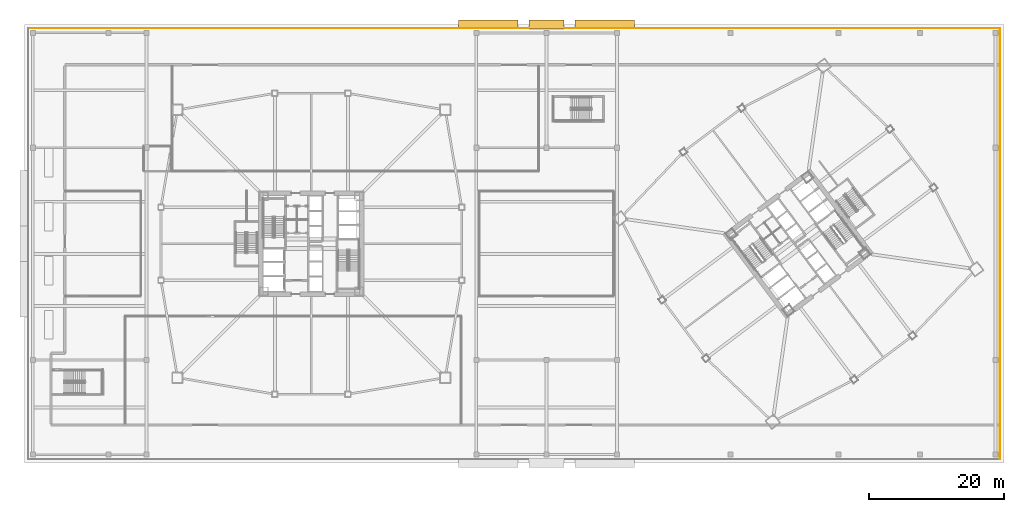
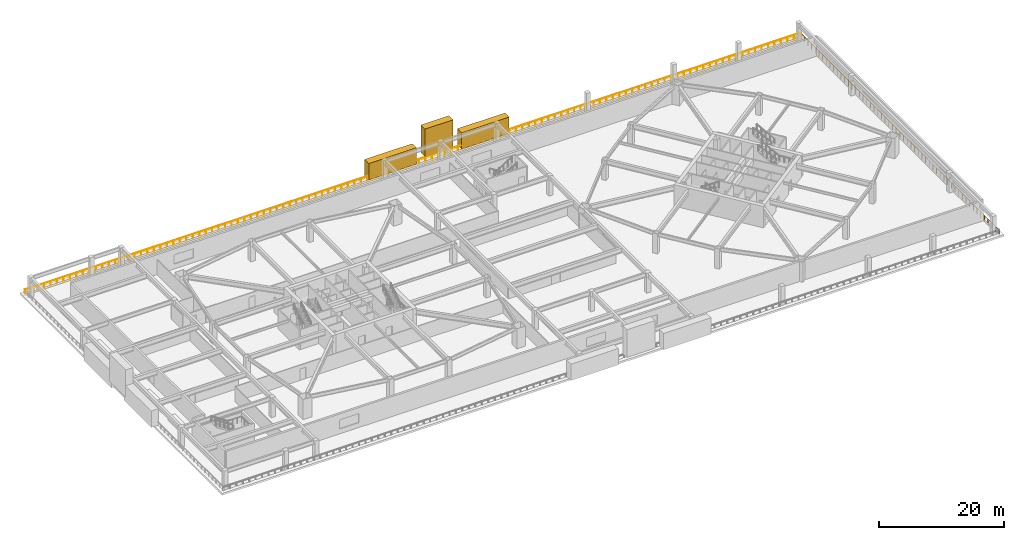
# One storey, part 20 of 20: 3 coverings, 2 railings.
"""IFC4 building model written with IfcOpenShell, lengths in metres."""

from ifc_helpers import new_model, si_unit, direction, frame, origin, origin_2d, place, context, subcontext, project, spatial, rectangle, extrude, material, layer, layer_set, type_object, element, save


model = new_model("IFC4")

# Units and contexts
model_context = context("Model", 3, precision=1e-05, world=origin(), true_north=direction((0.0, 1.0)))
body_context = subcontext(model_context, "Body", "Model", "MODEL_VIEW")
ifc_project = project(units=[si_unit("LENGTHUNIT", "METRE"), si_unit("AREAUNIT", "SQUARE_METRE"), si_unit("VOLUMEUNIT", "CUBIC_METRE"), si_unit("PLANEANGLEUNIT", "RADIAN"), si_unit("MASSUNIT", "GRAM", prefix="KILO")], contexts=[model_context])

# Site, building, storey
site_placement = place(None, origin())
site = spatial("IfcSite", under=ifc_project, at=site_placement, CompositionType="ELEMENT")
building_placement = place(site_placement, origin())
building = spatial("IfcBuilding", under=site, at=building_placement, Name="Tashvorn Skyway Center", CompositionType="ELEMENT")
storey_placement = place(building_placement, frame((0.0, 0.0, 15.60009765625)))
storey = spatial("IfcBuildingStorey", under=building, at=storey_placement, Name="L03", CompositionType="ELEMENT", Elevation=15.60009765625)

# Coverings
ifc_material_1 = material(Name="Precast concrete C40/50", Category="concrete")
ifc_layer = layer(ifc_material_1, 0.35009765625)
ifc_layer_set = layer_set([ifc_layer], Name="Precast concrete C40/50")
covering_type = type_object("IfcCoveringType", Name="COV-STONE-TRIM", PredefinedType="CLADDING", material=ifc_layer_set)
for number, where, z_axis, x_axis, name in (
    (1, (68.199951171875, 64.419921875, 0.39990234375), (0.0, 0.0, 1.0), (1.0, 0.0, 0.0), "Postmodern Station Split-Pediment NORTH L"),
    (2, (85.39990234375, 64.419921875, 0.39990234375), (0.0, 0.0, 1.0), (1.0, 0.0, 0.0), "Postmodern Station Split-Pediment NORTH R"),
):
    element("IfcCovering", number, at=place(storey_placement, frame(where, z_axis=z_axis, x_axis=x_axis)), inside=storey, type_object=covering_type, Name=name, PredefinedType="CLADDING", context=body_context, shape_type="SweptSolid", body=[
        extrude(rectangle(XDim=8.800048828125, YDim=1.35009765625, at=origin_2d()), origin(), (0.0, 0.0, 1.0), 3.199951171875),
    ])
covering_placement = place(storey_placement, frame((76.800048828125, 64.419921875, 1.300048828125), z_axis=(0.0, 0.0, 1.0), x_axis=(1.0, 0.0, 0.0)))
element("IfcCovering", 3, at=covering_placement, inside=storey, type_object=covering_type, Name="Postmodern Station Split-Pediment NORTH KEY", PredefinedType="CLADDING", context=body_context, shape_type="SweptSolid", body=[
    extrude(rectangle(XDim=5.199951171875, YDim=1.35009765625, at=origin_2d()), origin(), (0.0, 0.0, 1.0), 5.39990234375),
])

# Railings
ifc_material_2 = material(Name="Galvanized steel S355", Category="steel")
railing_type = type_object("IfcRailingType", Name="RAIL-GUARD-1120", PredefinedType="GUARDRAIL", material=ifc_material_2)
railing_1_placement = place(storey_placement, frame((143.8798828125, 0.1201171875, 0.0)))
element("IfcRailing", 4, at=railing_1_placement, inside=storey, type_object=railing_type, Name="L03 Stepped Podium Colonnade Terrace Guardrail 02", PredefinedType="GUARDRAIL", context=body_context, shape_type="SweptSolid", body=[
    extrude(rectangle(XDim=0.048095703125, YDim=0.048095703125, at=origin_2d()), frame((0.0, 0.0, 1.09619140625), z_axis=(0.0, 1.0, 0.0), x_axis=(-1.0, 0.0, 0.0)), (0.0, 0.0, 1.0), 63.759765625),
    extrude(rectangle(XDim=0.0419921875, YDim=0.0419921875, at=origin_2d()), origin(), (0.0, 0.0, 1.0), 1.072021484375),
    extrude(rectangle(XDim=0.0419921875, YDim=0.0419921875, at=origin_2d()), frame((0.0, 1.1806640625, 0.0)), (0.0, 0.0, 1.0), 1.072021484375),
    extrude(rectangle(XDim=0.0419921875, YDim=0.0419921875, at=origin_2d()), frame((0.0, 2.361572265625, 0.0)), (0.0, 0.0, 1.0), 1.072021484375),
    extrude(rectangle(XDim=0.0419921875, YDim=0.0419921875, at=origin_2d()), frame((0.0, 3.542236328125, 0.0)), (0.0, 0.0, 1.0), 1.072021484375),
    extrude(rectangle(XDim=0.0419921875, YDim=0.0419921875, at=origin_2d()), frame((0.0, 4.722900390625, 0.0)), (0.0, 0.0, 1.0), 1.072021484375),
    extrude(rectangle(XDim=0.0419921875, YDim=0.0419921875, at=origin_2d()), frame((0.0, 5.903564453125, 0.0)), (0.0, 0.0, 1.0), 1.072021484375),
    extrude(rectangle(XDim=0.0419921875, YDim=0.0419921875, at=origin_2d()), frame((0.0, 7.08447265625, 0.0)), (0.0, 0.0, 1.0), 1.072021484375),
    extrude(rectangle(XDim=0.0419921875, YDim=0.0419921875, at=origin_2d()), frame((0.0, 8.26513671875, 0.0)), (0.0, 0.0, 1.0), 1.072021484375),
    extrude(rectangle(XDim=0.0419921875, YDim=0.0419921875, at=origin_2d()), frame((0.0, 9.44580078125, 0.0)), (0.0, 0.0, 1.0), 1.072021484375),
    extrude(rectangle(XDim=0.0419921875, YDim=0.0419921875, at=origin_2d()), frame((0.0, 10.626708984375, 0.0)), (0.0, 0.0, 1.0), 1.072021484375),
    extrude(rectangle(XDim=0.0419921875, YDim=0.0419921875, at=origin_2d()), frame((0.0, 11.807373046875, 0.0)), (0.0, 0.0, 1.0), 1.072021484375),
    extrude(rectangle(XDim=0.0419921875, YDim=0.0419921875, at=origin_2d()), frame((0.0, 12.988037109375, 0.0)), (0.0, 0.0, 1.0), 1.072021484375),
    extrude(rectangle(XDim=0.0419921875, YDim=0.0419921875, at=origin_2d()), frame((0.0, 14.1689453125, 0.0)), (0.0, 0.0, 1.0), 1.072021484375),
    extrude(rectangle(XDim=0.0419921875, YDim=0.0419921875, at=origin_2d()), frame((0.0, 15.349609375, 0.0)), (0.0, 0.0, 1.0), 1.072021484375),
    extrude(rectangle(XDim=0.0419921875, YDim=0.0419921875, at=origin_2d()), frame((0.0, 16.5302734375, 0.0)), (0.0, 0.0, 1.0), 1.072021484375),
    extrude(rectangle(XDim=0.0419921875, YDim=0.0419921875, at=origin_2d()), frame((0.0, 17.7109375, 0.0)), (0.0, 0.0, 1.0), 1.072021484375),
    extrude(rectangle(XDim=0.0419921875, YDim=0.0419921875, at=origin_2d()), frame((0.0, 18.891845703125, 0.0)), (0.0, 0.0, 1.0), 1.072021484375),
    extrude(rectangle(XDim=0.0419921875, YDim=0.0419921875, at=origin_2d()), frame((0.0, 20.072509765625, 0.0)), (0.0, 0.0, 1.0), 1.072021484375),
    extrude(rectangle(XDim=0.0419921875, YDim=0.0419921875, at=origin_2d()), frame((0.0, 21.253173828125, 0.0)), (0.0, 0.0, 1.0), 1.072021484375),
    extrude(rectangle(XDim=0.0419921875, YDim=0.0419921875, at=origin_2d()), frame((0.0, 22.43408203125, 0.0)), (0.0, 0.0, 1.0), 1.072021484375),
    extrude(rectangle(XDim=0.0419921875, YDim=0.0419921875, at=origin_2d()), frame((0.0, 23.61474609375, 0.0)), (0.0, 0.0, 1.0), 1.072021484375),
    extrude(rectangle(XDim=0.0419921875, YDim=0.0419921875, at=origin_2d()), frame((0.0, 24.79541015625, 0.0)), (0.0, 0.0, 1.0), 1.072021484375),
    extrude(rectangle(XDim=0.0419921875, YDim=0.0419921875, at=origin_2d()), frame((0.0, 25.976318359375, 0.0)), (0.0, 0.0, 1.0), 1.072021484375),
    extrude(rectangle(XDim=0.0419921875, YDim=0.0419921875, at=origin_2d()), frame((0.0, 27.156982421875, 0.0)), (0.0, 0.0, 1.0), 1.072021484375),
    extrude(rectangle(XDim=0.0419921875, YDim=0.0419921875, at=origin_2d()), frame((0.0, 28.337646484375, 0.0)), (0.0, 0.0, 1.0), 1.072021484375),
    extrude(rectangle(XDim=0.0419921875, YDim=0.0419921875, at=origin_2d()), frame((0.0, 29.518310546875, 0.0)), (0.0, 0.0, 1.0), 1.072021484375),
    extrude(rectangle(XDim=0.0419921875, YDim=0.0419921875, at=origin_2d()), frame((0.0, 30.69921875, 0.0)), (0.0, 0.0, 1.0), 1.072021484375),
    extrude(rectangle(XDim=0.0419921875, YDim=0.0419921875, at=origin_2d()), frame((0.0, 31.8798828125, 0.0)), (0.0, 0.0, 1.0), 1.072021484375),
    extrude(rectangle(XDim=0.0419921875, YDim=0.0419921875, at=origin_2d()), frame((0.0, 33.060546875, 0.0)), (0.0, 0.0, 1.0), 1.072021484375),
    extrude(rectangle(XDim=0.0419921875, YDim=0.0419921875, at=origin_2d()), frame((0.0, 34.241455078125, 0.0)), (0.0, 0.0, 1.0), 1.072021484375),
    extrude(rectangle(XDim=0.0419921875, YDim=0.0419921875, at=origin_2d()), frame((0.0, 35.422119140625, 0.0)), (0.0, 0.0, 1.0), 1.072021484375),
    extrude(rectangle(XDim=0.0419921875, YDim=0.0419921875, at=origin_2d()), frame((0.0, 36.602783203125, 0.0)), (0.0, 0.0, 1.0), 1.072021484375),
    extrude(rectangle(XDim=0.0419921875, YDim=0.0419921875, at=origin_2d()), frame((0.0, 37.783447265625, 0.0)), (0.0, 0.0, 1.0), 1.072021484375),
    extrude(rectangle(XDim=0.0419921875, YDim=0.0419921875, at=origin_2d()), frame((0.0, 38.96435546875, 0.0)), (0.0, 0.0, 1.0), 1.072021484375),
    extrude(rectangle(XDim=0.0419921875, YDim=0.0419921875, at=origin_2d()), frame((0.0, 40.14501953125, 0.0)), (0.0, 0.0, 1.0), 1.072021484375),
    extrude(rectangle(XDim=0.0419921875, YDim=0.0419921875, at=origin_2d()), frame((0.0, 41.32568359375, 0.0)), (0.0, 0.0, 1.0), 1.072021484375),
    extrude(rectangle(XDim=0.0419921875, YDim=0.0419921875, at=origin_2d()), frame((0.0, 42.506591796875, 0.0)), (0.0, 0.0, 1.0), 1.072021484375),
    extrude(rectangle(XDim=0.0419921875, YDim=0.0419921875, at=origin_2d()), frame((0.0, 43.687255859375, 0.0)), (0.0, 0.0, 1.0), 1.072021484375),
    extrude(rectangle(XDim=0.0419921875, YDim=0.0419921875, at=origin_2d()), frame((0.0, 44.867919921875, 0.0)), (0.0, 0.0, 1.0), 1.072021484375),
    extrude(rectangle(XDim=0.0419921875, YDim=0.0419921875, at=origin_2d()), frame((0.0, 46.048828125, 0.0)), (0.0, 0.0, 1.0), 1.072021484375),
    extrude(rectangle(XDim=0.0419921875, YDim=0.0419921875, at=origin_2d()), frame((0.0, 47.2294921875, 0.0)), (0.0, 0.0, 1.0), 1.072021484375),
    extrude(rectangle(XDim=0.0419921875, YDim=0.0419921875, at=origin_2d()), frame((0.0, 48.41015625, 0.0)), (0.0, 0.0, 1.0), 1.072021484375),
    extrude(rectangle(XDim=0.0419921875, YDim=0.0419921875, at=origin_2d()), frame((0.0, 49.5908203125, 0.0)), (0.0, 0.0, 1.0), 1.072021484375),
    extrude(rectangle(XDim=0.0419921875, YDim=0.0419921875, at=origin_2d()), frame((0.0, 50.771728515625, 0.0)), (0.0, 0.0, 1.0), 1.072021484375),
    extrude(rectangle(XDim=0.0419921875, YDim=0.0419921875, at=origin_2d()), frame((0.0, 51.952392578125, 0.0)), (0.0, 0.0, 1.0), 1.072021484375),
    extrude(rectangle(XDim=0.0419921875, YDim=0.0419921875, at=origin_2d()), frame((0.0, 53.133056640625, 0.0)), (0.0, 0.0, 1.0), 1.072021484375),
    extrude(rectangle(XDim=0.0419921875, YDim=0.0419921875, at=origin_2d()), frame((0.0, 54.31396484375, 0.0)), (0.0, 0.0, 1.0), 1.072021484375),
    extrude(rectangle(XDim=0.0419921875, YDim=0.0419921875, at=origin_2d()), frame((0.0, 55.49462890625, 0.0)), (0.0, 0.0, 1.0), 1.072021484375),
    extrude(rectangle(XDim=0.0419921875, YDim=0.0419921875, at=origin_2d()), frame((0.0, 56.67529296875, 0.0)), (0.0, 0.0, 1.0), 1.072021484375),
    extrude(rectangle(XDim=0.0419921875, YDim=0.0419921875, at=origin_2d()), frame((0.0, 57.856201171875, 0.0)), (0.0, 0.0, 1.0), 1.072021484375),
    extrude(rectangle(XDim=0.0419921875, YDim=0.0419921875, at=origin_2d()), frame((0.0, 59.036865234375, 0.0)), (0.0, 0.0, 1.0), 1.072021484375),
    extrude(rectangle(XDim=0.0419921875, YDim=0.0419921875, at=origin_2d()), frame((0.0, 60.217529296875, 0.0)), (0.0, 0.0, 1.0), 1.072021484375),
    extrude(rectangle(XDim=0.0419921875, YDim=0.0419921875, at=origin_2d()), frame((0.0, 61.398193359375, 0.0)), (0.0, 0.0, 1.0), 1.072021484375),
    extrude(rectangle(XDim=0.0419921875, YDim=0.0419921875, at=origin_2d()), frame((0.0, 62.5791015625, 0.0)), (0.0, 0.0, 1.0), 1.072021484375),
    extrude(rectangle(XDim=0.0419921875, YDim=0.0419921875, at=origin_2d()), frame((0.0, 63.759765625, 0.0)), (0.0, 0.0, 1.0), 1.072021484375),
])
railing_2_placement = place(storey_placement, frame((143.8798828125, 63.8798828125, 0.0)))
element("IfcRailing", 5, at=railing_2_placement, inside=storey, type_object=railing_type, Name="L03 Stepped Podium Colonnade Terrace Guardrail 03", PredefinedType="GUARDRAIL", context=body_context, shape_type="SweptSolid", body=[
    extrude(rectangle(XDim=0.048095703125, YDim=0.048095703125, at=origin_2d()), frame((0.0, 0.0, 1.09619140625), z_axis=(-1.0, 0.0, 0.0), x_axis=(0.0, -1.0, 0.0)), (0.0, 0.0, 1.0), 143.759765625),
    extrude(rectangle(XDim=0.0419921875, YDim=0.0419921875, at=origin_2d()), origin(), (0.0, 0.0, 1.0), 1.072021484375),
    extrude(rectangle(XDim=0.0419921875, YDim=0.0419921875, at=origin_2d()), frame((-1.197998046875, 0.0, 0.0)), (0.0, 0.0, 1.0), 1.072021484375),
    extrude(rectangle(XDim=0.0419921875, YDim=0.0419921875, at=origin_2d()), frame((-2.39599609375, 0.0, 0.0)), (0.0, 0.0, 1.0), 1.072021484375),
    extrude(rectangle(XDim=0.0419921875, YDim=0.0419921875, at=origin_2d()), frame((-3.593994140625, 0.0, 0.0)), (0.0, 0.0, 1.0), 1.072021484375),
    extrude(rectangle(XDim=0.0419921875, YDim=0.0419921875, at=origin_2d()), frame((-4.7919921875, 0.0, 0.0)), (0.0, 0.0, 1.0), 1.072021484375),
    extrude(rectangle(XDim=0.0419921875, YDim=0.0419921875, at=origin_2d()), frame((-5.989990234375, 0.0, 0.0)), (0.0, 0.0, 1.0), 1.072021484375),
    extrude(rectangle(XDim=0.0419921875, YDim=0.0419921875, at=origin_2d()), frame((-7.18798828125, 0.0, 0.0)), (0.0, 0.0, 1.0), 1.072021484375),
    extrude(rectangle(XDim=0.0419921875, YDim=0.0419921875, at=origin_2d()), frame((-8.385986328125, 0.0, 0.0)), (0.0, 0.0, 1.0), 1.072021484375),
    extrude(rectangle(XDim=0.0419921875, YDim=0.0419921875, at=origin_2d()), frame((-9.583984375, 0.0, 0.0)), (0.0, 0.0, 1.0), 1.072021484375),
    extrude(rectangle(XDim=0.0419921875, YDim=0.0419921875, at=origin_2d()), frame((-10.781982421875, 0.0, 0.0)), (0.0, 0.0, 1.0), 1.072021484375),
    extrude(rectangle(XDim=0.0419921875, YDim=0.0419921875, at=origin_2d()), frame((-11.97998046875, 0.0, 0.0)), (0.0, 0.0, 1.0), 1.072021484375),
    extrude(rectangle(XDim=0.0419921875, YDim=0.0419921875, at=origin_2d()), frame((-13.177978515625, 0.0, 0.0)), (0.0, 0.0, 1.0), 1.072021484375),
    extrude(rectangle(XDim=0.0419921875, YDim=0.0419921875, at=origin_2d()), frame((-14.3759765625, 0.0, 0.0)), (0.0, 0.0, 1.0), 1.072021484375),
    extrude(rectangle(XDim=0.0419921875, YDim=0.0419921875, at=origin_2d()), frame((-15.573974609375, 0.0, 0.0)), (0.0, 0.0, 1.0), 1.072021484375),
    extrude(rectangle(XDim=0.0419921875, YDim=0.0419921875, at=origin_2d()), frame((-16.77197265625, 0.0, 0.0)), (0.0, 0.0, 1.0), 1.072021484375),
    extrude(rectangle(XDim=0.0419921875, YDim=0.0419921875, at=origin_2d()), frame((-17.969970703125, 0.0, 0.0)), (0.0, 0.0, 1.0), 1.072021484375),
    extrude(rectangle(XDim=0.0419921875, YDim=0.0419921875, at=origin_2d()), frame((-19.16796875, 0.0, 0.0)), (0.0, 0.0, 1.0), 1.072021484375),
    extrude(rectangle(XDim=0.0419921875, YDim=0.0419921875, at=origin_2d()), frame((-20.365966796875, 0.0, 0.0)), (0.0, 0.0, 1.0), 1.072021484375),
    extrude(rectangle(XDim=0.0419921875, YDim=0.0419921875, at=origin_2d()), frame((-21.56396484375, 0.0, 0.0)), (0.0, 0.0, 1.0), 1.072021484375),
    extrude(rectangle(XDim=0.0419921875, YDim=0.0419921875, at=origin_2d()), frame((-22.761962890625, 0.0, 0.0)), (0.0, 0.0, 1.0), 1.072021484375),
    extrude(rectangle(XDim=0.0419921875, YDim=0.0419921875, at=origin_2d()), frame((-23.9599609375, 0.0, 0.0)), (0.0, 0.0, 1.0), 1.072021484375),
    extrude(rectangle(XDim=0.0419921875, YDim=0.0419921875, at=origin_2d()), frame((-25.157958984375, 0.0, 0.0)), (0.0, 0.0, 1.0), 1.072021484375),
    extrude(rectangle(XDim=0.0419921875, YDim=0.0419921875, at=origin_2d()), frame((-26.35595703125, 0.0, 0.0)), (0.0, 0.0, 1.0), 1.072021484375),
    extrude(rectangle(XDim=0.0419921875, YDim=0.0419921875, at=origin_2d()), frame((-27.553955078125, 0.0, 0.0)), (0.0, 0.0, 1.0), 1.072021484375),
    extrude(rectangle(XDim=0.0419921875, YDim=0.0419921875, at=origin_2d()), frame((-28.751953125, 0.0, 0.0)), (0.0, 0.0, 1.0), 1.072021484375),
    extrude(rectangle(XDim=0.0419921875, YDim=0.0419921875, at=origin_2d()), frame((-29.949951171875, 0.0, 0.0)), (0.0, 0.0, 1.0), 1.072021484375),
    extrude(rectangle(XDim=0.0419921875, YDim=0.0419921875, at=origin_2d()), frame((-31.14794921875, 0.0, 0.0)), (0.0, 0.0, 1.0), 1.072021484375),
    extrude(rectangle(XDim=0.0419921875, YDim=0.0419921875, at=origin_2d()), frame((-32.345947265625, 0.0, 0.0)), (0.0, 0.0, 1.0), 1.072021484375),
    extrude(rectangle(XDim=0.0419921875, YDim=0.0419921875, at=origin_2d()), frame((-33.5439453125, 0.0, 0.0)), (0.0, 0.0, 1.0), 1.072021484375),
    extrude(rectangle(XDim=0.0419921875, YDim=0.0419921875, at=origin_2d()), frame((-34.741943359375, 0.0, 0.0)), (0.0, 0.0, 1.0), 1.072021484375),
    extrude(rectangle(XDim=0.0419921875, YDim=0.0419921875, at=origin_2d()), frame((-35.93994140625, 0.0, 0.0)), (0.0, 0.0, 1.0), 1.072021484375),
    extrude(rectangle(XDim=0.0419921875, YDim=0.0419921875, at=origin_2d()), frame((-37.137939453125, 0.0, 0.0)), (0.0, 0.0, 1.0), 1.072021484375),
    extrude(rectangle(XDim=0.0419921875, YDim=0.0419921875, at=origin_2d()), frame((-38.3359375, 0.0, 0.0)), (0.0, 0.0, 1.0), 1.072021484375),
    extrude(rectangle(XDim=0.0419921875, YDim=0.0419921875, at=origin_2d()), frame((-39.533935546875, 0.0, 0.0)), (0.0, 0.0, 1.0), 1.072021484375),
    extrude(rectangle(XDim=0.0419921875, YDim=0.0419921875, at=origin_2d()), frame((-40.73193359375, 0.0, 0.0)), (0.0, 0.0, 1.0), 1.072021484375),
    extrude(rectangle(XDim=0.0419921875, YDim=0.0419921875, at=origin_2d()), frame((-41.929931640625, 0.0, 0.0)), (0.0, 0.0, 1.0), 1.072021484375),
    extrude(rectangle(XDim=0.0419921875, YDim=0.0419921875, at=origin_2d()), frame((-43.1279296875, 0.0, 0.0)), (0.0, 0.0, 1.0), 1.072021484375),
    extrude(rectangle(XDim=0.0419921875, YDim=0.0419921875, at=origin_2d()), frame((-44.325927734375, 0.0, 0.0)), (0.0, 0.0, 1.0), 1.072021484375),
    extrude(rectangle(XDim=0.0419921875, YDim=0.0419921875, at=origin_2d()), frame((-45.52392578125, 0.0, 0.0)), (0.0, 0.0, 1.0), 1.072021484375),
    extrude(rectangle(XDim=0.0419921875, YDim=0.0419921875, at=origin_2d()), frame((-46.721923828125, 0.0, 0.0)), (0.0, 0.0, 1.0), 1.072021484375),
    extrude(rectangle(XDim=0.0419921875, YDim=0.0419921875, at=origin_2d()), frame((-47.919921875, 0.0, 0.0)), (0.0, 0.0, 1.0), 1.072021484375),
    extrude(rectangle(XDim=0.0419921875, YDim=0.0419921875, at=origin_2d()), frame((-49.117919921875, 0.0, 0.0)), (0.0, 0.0, 1.0), 1.072021484375),
    extrude(rectangle(XDim=0.0419921875, YDim=0.0419921875, at=origin_2d()), frame((-50.31591796875, 0.0, 0.0)), (0.0, 0.0, 1.0), 1.072021484375),
    extrude(rectangle(XDim=0.0419921875, YDim=0.0419921875, at=origin_2d()), frame((-51.513916015625, 0.0, 0.0)), (0.0, 0.0, 1.0), 1.072021484375),
    extrude(rectangle(XDim=0.0419921875, YDim=0.0419921875, at=origin_2d()), frame((-52.7119140625, 0.0, 0.0)), (0.0, 0.0, 1.0), 1.072021484375),
    extrude(rectangle(XDim=0.0419921875, YDim=0.0419921875, at=origin_2d()), frame((-53.909912109375, 0.0, 0.0)), (0.0, 0.0, 1.0), 1.072021484375),
    extrude(rectangle(XDim=0.0419921875, YDim=0.0419921875, at=origin_2d()), frame((-55.10791015625, 0.0, 0.0)), (0.0, 0.0, 1.0), 1.072021484375),
    extrude(rectangle(XDim=0.0419921875, YDim=0.0419921875, at=origin_2d()), frame((-56.305908203125, 0.0, 0.0)), (0.0, 0.0, 1.0), 1.072021484375),
    extrude(rectangle(XDim=0.0419921875, YDim=0.0419921875, at=origin_2d()), frame((-57.50390625, 0.0, 0.0)), (0.0, 0.0, 1.0), 1.072021484375),
    extrude(rectangle(XDim=0.0419921875, YDim=0.0419921875, at=origin_2d()), frame((-58.701904296875, 0.0, 0.0)), (0.0, 0.0, 1.0), 1.072021484375),
    extrude(rectangle(XDim=0.0419921875, YDim=0.0419921875, at=origin_2d()), frame((-59.89990234375, 0.0, 0.0)), (0.0, 0.0, 1.0), 1.072021484375),
    extrude(rectangle(XDim=0.0419921875, YDim=0.0419921875, at=origin_2d()), frame((-61.097900390625, 0.0, 0.0)), (0.0, 0.0, 1.0), 1.072021484375),
    extrude(rectangle(XDim=0.0419921875, YDim=0.0419921875, at=origin_2d()), frame((-62.2958984375, 0.0, 0.0)), (0.0, 0.0, 1.0), 1.072021484375),
    extrude(rectangle(XDim=0.0419921875, YDim=0.0419921875, at=origin_2d()), frame((-63.493896484375, 0.0, 0.0)), (0.0, 0.0, 1.0), 1.072021484375),
    extrude(rectangle(XDim=0.0419921875, YDim=0.0419921875, at=origin_2d()), frame((-64.69189453125, 0.0, 0.0)), (0.0, 0.0, 1.0), 1.072021484375),
    extrude(rectangle(XDim=0.0419921875, YDim=0.0419921875, at=origin_2d()), frame((-65.889892578125, 0.0, 0.0)), (0.0, 0.0, 1.0), 1.072021484375),
    extrude(rectangle(XDim=0.0419921875, YDim=0.0419921875, at=origin_2d()), frame((-67.087890625, 0.0, 0.0)), (0.0, 0.0, 1.0), 1.072021484375),
    extrude(rectangle(XDim=0.0419921875, YDim=0.0419921875, at=origin_2d()), frame((-68.285888671875, 0.0, 0.0)), (0.0, 0.0, 1.0), 1.072021484375),
    extrude(rectangle(XDim=0.0419921875, YDim=0.0419921875, at=origin_2d()), frame((-69.48388671875, 0.0, 0.0)), (0.0, 0.0, 1.0), 1.072021484375),
    extrude(rectangle(XDim=0.0419921875, YDim=0.0419921875, at=origin_2d()), frame((-70.681884765625, 0.0, 0.0)), (0.0, 0.0, 1.0), 1.072021484375),
    extrude(rectangle(XDim=0.0419921875, YDim=0.0419921875, at=origin_2d()), frame((-71.8798828125, 0.0, 0.0)), (0.0, 0.0, 1.0), 1.072021484375),
    extrude(rectangle(XDim=0.0419921875, YDim=0.0419921875, at=origin_2d()), frame((-73.077880859375, 0.0, 0.0)), (0.0, 0.0, 1.0), 1.072021484375),
    extrude(rectangle(XDim=0.0419921875, YDim=0.0419921875, at=origin_2d()), frame((-74.27587890625, 0.0, 0.0)), (0.0, 0.0, 1.0), 1.072021484375),
    extrude(rectangle(XDim=0.0419921875, YDim=0.0419921875, at=origin_2d()), frame((-75.473876953125, 0.0, 0.0)), (0.0, 0.0, 1.0), 1.072021484375),
    extrude(rectangle(XDim=0.0419921875, YDim=0.0419921875, at=origin_2d()), frame((-76.671875, 0.0, 0.0)), (0.0, 0.0, 1.0), 1.072021484375),
    extrude(rectangle(XDim=0.0419921875, YDim=0.0419921875, at=origin_2d()), frame((-77.869873046875, 0.0, 0.0)), (0.0, 0.0, 1.0), 1.072021484375),
    extrude(rectangle(XDim=0.0419921875, YDim=0.0419921875, at=origin_2d()), frame((-79.06787109375, 0.0, 0.0)), (0.0, 0.0, 1.0), 1.072021484375),
    extrude(rectangle(XDim=0.0419921875, YDim=0.0419921875, at=origin_2d()), frame((-80.265869140625, 0.0, 0.0)), (0.0, 0.0, 1.0), 1.072021484375),
    extrude(rectangle(XDim=0.0419921875, YDim=0.0419921875, at=origin_2d()), frame((-81.4638671875, 0.0, 0.0)), (0.0, 0.0, 1.0), 1.072021484375),
    extrude(rectangle(XDim=0.0419921875, YDim=0.0419921875, at=origin_2d()), frame((-82.661865234375, 0.0, 0.0)), (0.0, 0.0, 1.0), 1.072021484375),
    extrude(rectangle(XDim=0.0419921875, YDim=0.0419921875, at=origin_2d()), frame((-83.85986328125, 0.0, 0.0)), (0.0, 0.0, 1.0), 1.072021484375),
    extrude(rectangle(XDim=0.0419921875, YDim=0.0419921875, at=origin_2d()), frame((-85.057861328125, 0.0, 0.0)), (0.0, 0.0, 1.0), 1.072021484375),
    extrude(rectangle(XDim=0.0419921875, YDim=0.0419921875, at=origin_2d()), frame((-86.255859375, 0.0, 0.0)), (0.0, 0.0, 1.0), 1.072021484375),
    extrude(rectangle(XDim=0.0419921875, YDim=0.0419921875, at=origin_2d()), frame((-87.453857421875, 0.0, 0.0)), (0.0, 0.0, 1.0), 1.072021484375),
    extrude(rectangle(XDim=0.0419921875, YDim=0.0419921875, at=origin_2d()), frame((-88.65185546875, 0.0, 0.0)), (0.0, 0.0, 1.0), 1.072021484375),
    extrude(rectangle(XDim=0.0419921875, YDim=0.0419921875, at=origin_2d()), frame((-89.849853515625, 0.0, 0.0)), (0.0, 0.0, 1.0), 1.072021484375),
    extrude(rectangle(XDim=0.0419921875, YDim=0.0419921875, at=origin_2d()), frame((-91.0478515625, 0.0, 0.0)), (0.0, 0.0, 1.0), 1.072021484375),
    extrude(rectangle(XDim=0.0419921875, YDim=0.0419921875, at=origin_2d()), frame((-92.245849609375, 0.0, 0.0)), (0.0, 0.0, 1.0), 1.072021484375),
    extrude(rectangle(XDim=0.0419921875, YDim=0.0419921875, at=origin_2d()), frame((-93.44384765625, 0.0, 0.0)), (0.0, 0.0, 1.0), 1.072021484375),
    extrude(rectangle(XDim=0.0419921875, YDim=0.0419921875, at=origin_2d()), frame((-94.641845703125, 0.0, 0.0)), (0.0, 0.0, 1.0), 1.072021484375),
    extrude(rectangle(XDim=0.0419921875, YDim=0.0419921875, at=origin_2d()), frame((-95.83984375, 0.0, 0.0)), (0.0, 0.0, 1.0), 1.072021484375),
    extrude(rectangle(XDim=0.0419921875, YDim=0.0419921875, at=origin_2d()), frame((-97.037841796875, 0.0, 0.0)), (0.0, 0.0, 1.0), 1.072021484375),
    extrude(rectangle(XDim=0.0419921875, YDim=0.0419921875, at=origin_2d()), frame((-98.23583984375, 0.0, 0.0)), (0.0, 0.0, 1.0), 1.072021484375),
    extrude(rectangle(XDim=0.0419921875, YDim=0.0419921875, at=origin_2d()), frame((-99.433837890625, 0.0, 0.0)), (0.0, 0.0, 1.0), 1.072021484375),
    extrude(rectangle(XDim=0.0419921875, YDim=0.0419921875, at=origin_2d()), frame((-100.6318359375, 0.0, 0.0)), (0.0, 0.0, 1.0), 1.072021484375),
    extrude(rectangle(XDim=0.0419921875, YDim=0.0419921875, at=origin_2d()), frame((-101.829833984375, 0.0, 0.0)), (0.0, 0.0, 1.0), 1.072021484375),
    extrude(rectangle(XDim=0.0419921875, YDim=0.0419921875, at=origin_2d()), frame((-103.02783203125, 0.0, 0.0)), (0.0, 0.0, 1.0), 1.072021484375),
    extrude(rectangle(XDim=0.0419921875, YDim=0.0419921875, at=origin_2d()), frame((-104.225830078125, 0.0, 0.0)), (0.0, 0.0, 1.0), 1.072021484375),
    extrude(rectangle(XDim=0.0419921875, YDim=0.0419921875, at=origin_2d()), frame((-105.423828125, 0.0, 0.0)), (0.0, 0.0, 1.0), 1.072021484375),
    extrude(rectangle(XDim=0.0419921875, YDim=0.0419921875, at=origin_2d()), frame((-106.621826171875, 0.0, 0.0)), (0.0, 0.0, 1.0), 1.072021484375),
    extrude(rectangle(XDim=0.0419921875, YDim=0.0419921875, at=origin_2d()), frame((-107.81982421875, 0.0, 0.0)), (0.0, 0.0, 1.0), 1.072021484375),
    extrude(rectangle(XDim=0.0419921875, YDim=0.0419921875, at=origin_2d()), frame((-109.017822265625, 0.0, 0.0)), (0.0, 0.0, 1.0), 1.072021484375),
    extrude(rectangle(XDim=0.0419921875, YDim=0.0419921875, at=origin_2d()), frame((-110.2158203125, 0.0, 0.0)), (0.0, 0.0, 1.0), 1.072021484375),
    extrude(rectangle(XDim=0.0419921875, YDim=0.0419921875, at=origin_2d()), frame((-111.413818359375, 0.0, 0.0)), (0.0, 0.0, 1.0), 1.072021484375),
    extrude(rectangle(XDim=0.0419921875, YDim=0.0419921875, at=origin_2d()), frame((-112.61181640625, 0.0, 0.0)), (0.0, 0.0, 1.0), 1.072021484375),
    extrude(rectangle(XDim=0.0419921875, YDim=0.0419921875, at=origin_2d()), frame((-113.809814453125, 0.0, 0.0)), (0.0, 0.0, 1.0), 1.072021484375),
    extrude(rectangle(XDim=0.0419921875, YDim=0.0419921875, at=origin_2d()), frame((-115.0078125, 0.0, 0.0)), (0.0, 0.0, 1.0), 1.072021484375),
    extrude(rectangle(XDim=0.0419921875, YDim=0.0419921875, at=origin_2d()), frame((-116.205810546875, 0.0, 0.0)), (0.0, 0.0, 1.0), 1.072021484375),
    extrude(rectangle(XDim=0.0419921875, YDim=0.0419921875, at=origin_2d()), frame((-117.40380859375, 0.0, 0.0)), (0.0, 0.0, 1.0), 1.072021484375),
    extrude(rectangle(XDim=0.0419921875, YDim=0.0419921875, at=origin_2d()), frame((-118.601806640625, 0.0, 0.0)), (0.0, 0.0, 1.0), 1.072021484375),
    extrude(rectangle(XDim=0.0419921875, YDim=0.0419921875, at=origin_2d()), frame((-119.7998046875, 0.0, 0.0)), (0.0, 0.0, 1.0), 1.072021484375),
    extrude(rectangle(XDim=0.0419921875, YDim=0.0419921875, at=origin_2d()), frame((-120.997802734375, 0.0, 0.0)), (0.0, 0.0, 1.0), 1.072021484375),
    extrude(rectangle(XDim=0.0419921875, YDim=0.0419921875, at=origin_2d()), frame((-122.19580078125, 0.0, 0.0)), (0.0, 0.0, 1.0), 1.072021484375),
    extrude(rectangle(XDim=0.0419921875, YDim=0.0419921875, at=origin_2d()), frame((-123.393798828125, 0.0, 0.0)), (0.0, 0.0, 1.0), 1.072021484375),
    extrude(rectangle(XDim=0.0419921875, YDim=0.0419921875, at=origin_2d()), frame((-124.591796875, 0.0, 0.0)), (0.0, 0.0, 1.0), 1.072021484375),
    extrude(rectangle(XDim=0.0419921875, YDim=0.0419921875, at=origin_2d()), frame((-125.789794921875, 0.0, 0.0)), (0.0, 0.0, 1.0), 1.072021484375),
    extrude(rectangle(XDim=0.0419921875, YDim=0.0419921875, at=origin_2d()), frame((-126.98779296875, 0.0, 0.0)), (0.0, 0.0, 1.0), 1.072021484375),
    extrude(rectangle(XDim=0.0419921875, YDim=0.0419921875, at=origin_2d()), frame((-128.185791015625, 0.0, 0.0)), (0.0, 0.0, 1.0), 1.072021484375),
    extrude(rectangle(XDim=0.0419921875, YDim=0.0419921875, at=origin_2d()), frame((-129.3837890625, 0.0, 0.0)), (0.0, 0.0, 1.0), 1.072021484375),
    extrude(rectangle(XDim=0.0419921875, YDim=0.0419921875, at=origin_2d()), frame((-130.581787109375, 0.0, 0.0)), (0.0, 0.0, 1.0), 1.072021484375),
    extrude(rectangle(XDim=0.0419921875, YDim=0.0419921875, at=origin_2d()), frame((-131.77978515625, 0.0, 0.0)), (0.0, 0.0, 1.0), 1.072021484375),
    extrude(rectangle(XDim=0.0419921875, YDim=0.0419921875, at=origin_2d()), frame((-132.977783203125, 0.0, 0.0)), (0.0, 0.0, 1.0), 1.072021484375),
    extrude(rectangle(XDim=0.0419921875, YDim=0.0419921875, at=origin_2d()), frame((-134.17578125, 0.0, 0.0)), (0.0, 0.0, 1.0), 1.072021484375),
    extrude(rectangle(XDim=0.0419921875, YDim=0.0419921875, at=origin_2d()), frame((-135.373779296875, 0.0, 0.0)), (0.0, 0.0, 1.0), 1.072021484375),
    extrude(rectangle(XDim=0.0419921875, YDim=0.0419921875, at=origin_2d()), frame((-136.57177734375, 0.0, 0.0)), (0.0, 0.0, 1.0), 1.072021484375),
    extrude(rectangle(XDim=0.0419921875, YDim=0.0419921875, at=origin_2d()), frame((-137.769775390625, 0.0, 0.0)), (0.0, 0.0, 1.0), 1.072021484375),
    extrude(rectangle(XDim=0.0419921875, YDim=0.0419921875, at=origin_2d()), frame((-138.9677734375, 0.0, 0.0)), (0.0, 0.0, 1.0), 1.072021484375),
    extrude(rectangle(XDim=0.0419921875, YDim=0.0419921875, at=origin_2d()), frame((-140.165771484375, 0.0, 0.0)), (0.0, 0.0, 1.0), 1.072021484375),
    extrude(rectangle(XDim=0.0419921875, YDim=0.0419921875, at=origin_2d()), frame((-141.36376953125, 0.0, 0.0)), (0.0, 0.0, 1.0), 1.072021484375),
    extrude(rectangle(XDim=0.0419921875, YDim=0.0419921875, at=origin_2d()), frame((-142.561767578125, 0.0, 0.0)), (0.0, 0.0, 1.0), 1.072021484375),
    extrude(rectangle(XDim=0.0419921875, YDim=0.0419921875, at=origin_2d()), frame((-143.759765625, 0.0, 0.0)), (0.0, 0.0, 1.0), 1.072021484375),
])

save(model, "model.ifc")
